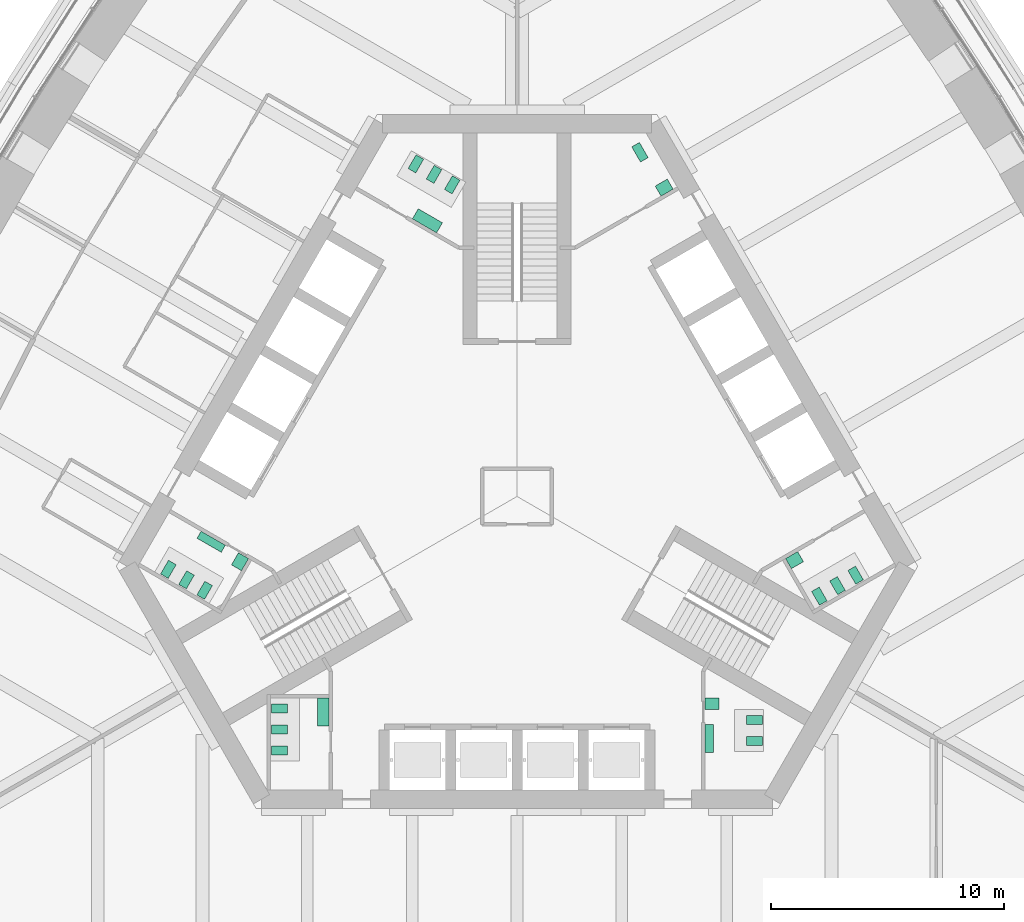
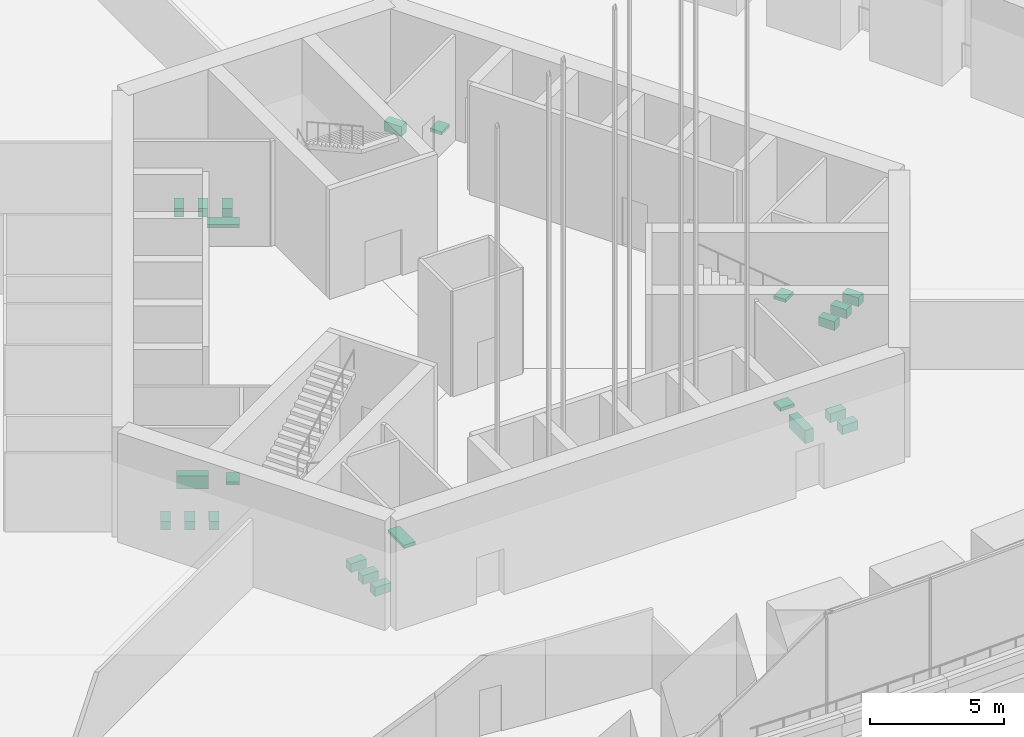
# One storey, part 24 of 33: 23 sanitary terminals.
"""IFC4 building model written with IfcOpenShell, lengths in metres."""

from ifc_helpers import new_model, si_unit, direction, frame, origin, place, context, subcontext, project, spatial, polyline, outline, extrude, material, type_object, element, save


model = new_model("IFC4")

# Units and contexts
model_context = context("Model", 3, precision=1e-05, world=origin(), true_north=direction((0.0, 1.0)))
body_context = subcontext(model_context, "Body", "Model", "MODEL_VIEW")
ifc_project = project(units=[si_unit("LENGTHUNIT", "METRE"), si_unit("AREAUNIT", "SQUARE_METRE"), si_unit("VOLUMEUNIT", "CUBIC_METRE"), si_unit("PLANEANGLEUNIT", "RADIAN"), si_unit("MASSUNIT", "GRAM", prefix="KILO")], contexts=[model_context])

# Site, building, storey
site_placement = place(None, origin())
site = spatial("IfcSite", under=ifc_project, at=site_placement, CompositionType="ELEMENT")
building_placement = place(site_placement, origin())
building = spatial("IfcBuilding", under=site, at=building_placement, Name="Trefoil Bronze Tower", CompositionType="ELEMENT")
storey_placement = place(building_placement, frame((0.0, 0.0, 98.10009765625)))
storey = spatial("IfcBuildingStorey", under=building, at=storey_placement, Name="L22", CompositionType="ELEMENT", Elevation=98.10009765625)

# Sanitary terminals
ifc_material_1 = material(Name="Vitreous china", Category="ceramic")
sanitary_terminal_type_1 = type_object("IfcSanitaryTerminalType", Name="Accessible WC pan", PredefinedType="TOILETPAN", material=ifc_material_1)
sanitary_terminal_1_placement = place(storey_placement, origin())
element("IfcSanitaryTerminal", 1, at=sanitary_terminal_1_placement, inside=storey, type_object=sanitary_terminal_type_1, Name="WC pan 1 Accessible WC L22", PredefinedType="TOILETPAN", context=body_context, shape_type="SweptSolid", body=[
    extrude(outline(polyline([(5.300537109375, 14.359130859375), (4.925537109375, 15.008544921875), (5.254638671875, 15.198486328125), (5.629638671875, 14.549072265625), (5.300537109375, 14.359130859375)])), origin(), (0.0, 0.0, 1.0), 0.449951171875),
])
ifc_material_2 = material(Name="Vitreous china", Category="ceramic")
sanitary_terminal_type_2 = type_object("IfcSanitaryTerminalType", Name="Accessible basin", PredefinedType="WASHHANDBASIN", material=ifc_material_2)
sanitary_terminal_2_placement = place(storey_placement, frame((0.0, 0.0, 0.64990234375)))
element("IfcSanitaryTerminal", 2, at=sanitary_terminal_2_placement, inside=storey, type_object=sanitary_terminal_type_2, Name="Wash basin Accessible WC L22", PredefinedType="WASHHANDBASIN", context=body_context, shape_type="SweptSolid", body=[
    extrude(outline(polyline([(6.181640625, 12.89306640625), (5.931640625, 13.326171875), (6.451171875, 13.626220703125), (6.701171875, 13.193115234375), (6.181640625, 12.89306640625)])), origin(), (0.0, 0.0, 1.0), 0.14990234375),
])
ifc_material_3 = material(Name="Vitreous china", Category="ceramic")
sanitary_terminal_type_3 = type_object("IfcSanitaryTerminalType", Name="Urinal range 2 urinals", PredefinedType="URINAL", material=ifc_material_3)
sanitary_terminal_3_placement = place(storey_placement, frame((0.0, 0.0, 0.39990234375)))
element("IfcSanitaryTerminal", 3, at=sanitary_terminal_3_placement, inside=storey, type_object=sanitary_terminal_type_3, Name="Urinal range WC (men) L22", PredefinedType="URINAL", context=body_context, shape_type="SweptSolid", body=[
    extrude(outline(polyline([(8.074951171875, -9.800048828125), (8.425048828125, -9.800048828125), (8.425048828125, -11.0), (8.074951171875, -11.0), (8.074951171875, -9.800048828125)])), origin(), (0.0, 0.0, 1.0), 0.60009765625),
])
sanitary_terminal_4_placement = place(storey_placement, frame((0.0, 0.0, 0.39990234375)))
element("IfcSanitaryTerminal", 4, at=sanitary_terminal_4_placement, inside=storey, type_object=sanitary_terminal_type_3, Name="Urinal range WC (men) L22", PredefinedType="URINAL", context=body_context, shape_type="SweptSolid", body=[
    extrude(outline(polyline([(-12.524658203125, -2.09326171875), (-12.699462890625, -2.396240234375), (-13.73876953125, -1.796142578125), (-13.563720703125, -1.4931640625), (-12.524658203125, -2.09326171875)])), origin(), (0.0, 0.0, 1.0), 0.60009765625),
])
ifc_material_4 = material(Name="Solid surface vanity", Category="plastic")
sanitary_terminal_type_4 = type_object("IfcSanitaryTerminalType", Name="Vanity unit 1 basins", PredefinedType="WASHHANDBASIN", material=ifc_material_4)
sanitary_terminal_5_placement = place(storey_placement, frame((0.0, 0.0, 0.75)))
element("IfcSanitaryTerminal", 5, at=sanitary_terminal_5_placement, inside=storey, type_object=sanitary_terminal_type_4, Name="Vanity unit WC (men) L22", PredefinedType="WASHHANDBASIN", context=body_context, shape_type="SweptSolid", body=[
    extrude(outline(polyline([(8.074951171875, -8.64990234375), (8.675048828125, -8.64990234375), (8.675048828125, -9.14990234375), (8.074951171875, -9.14990234375), (8.074951171875, -8.64990234375)])), origin(), (0.0, 0.0, 1.0), 0.14990234375),
])
sanitary_terminal_6_placement = place(storey_placement, frame((0.0, 0.0, 0.75)))
element("IfcSanitaryTerminal", 6, at=sanitary_terminal_6_placement, inside=storey, type_object=sanitary_terminal_type_4, Name="Vanity unit WC (women) L22", PredefinedType="WASHHANDBASIN", context=body_context, shape_type="SweptSolid", body=[
    extrude(outline(polyline([(11.528564453125, -2.668212890625), (11.778564453125, -3.10107421875), (12.29833984375, -2.80126953125), (12.04833984375, -2.3681640625), (11.528564453125, -2.668212890625)])), origin(), (0.0, 0.0, 1.0), 0.14990234375),
])
sanitary_terminal_7_placement = place(storey_placement, frame((0.0, 0.0, 0.75)))
element("IfcSanitaryTerminal", 7, at=sanitary_terminal_7_placement, inside=storey, type_object=sanitary_terminal_type_4, Name="Vanity unit WC (men) L22", PredefinedType="WASHHANDBASIN", context=body_context, shape_type="SweptSolid", body=[
    extrude(outline(polyline([(-11.528564453125, -2.668212890625), (-11.82861328125, -3.187744140625), (-12.26171875, -2.937744140625), (-11.961669921875, -2.418212890625), (-11.528564453125, -2.668212890625)])), origin(), (0.0, 0.0, 1.0), 0.14990234375),
])
ifc_material_5 = material(Name="Solid surface vanity", Category="plastic")
sanitary_terminal_type_5 = type_object("IfcSanitaryTerminalType", Name="Vanity unit 2 basins", PredefinedType="WASHHANDBASIN", material=ifc_material_5)
sanitary_terminal_8_placement = place(storey_placement, frame((0.0, 0.0, 0.75)))
element("IfcSanitaryTerminal", 8, at=sanitary_terminal_8_placement, inside=storey, type_object=sanitary_terminal_type_5, Name="Vanity unit WC (women) L22", PredefinedType="WASHHANDBASIN", context=body_context, shape_type="SweptSolid", body=[
    extrude(outline(polyline([(-3.45361328125, 11.318115234375), (-3.20361328125, 11.751220703125), (-4.242919921875, 12.35107421875), (-4.492919921875, 11.918212890625), (-3.45361328125, 11.318115234375)])), origin(), (0.0, 0.0, 1.0), 0.14990234375),
])
sanitary_terminal_9_placement = place(storey_placement, frame((0.0, 0.0, 0.75)))
element("IfcSanitaryTerminal", 9, at=sanitary_terminal_9_placement, inside=storey, type_object=sanitary_terminal_type_5, Name="Vanity unit WC (women) L22", PredefinedType="WASHHANDBASIN", context=body_context, shape_type="SweptSolid", body=[
    extrude(outline(polyline([(-8.074951171875, -8.64990234375), (-8.574951171875, -8.64990234375), (-8.574951171875, -9.85009765625), (-8.074951171875, -9.85009765625), (-8.074951171875, -8.64990234375)])), origin(), (0.0, 0.0, 1.0), 0.14990234375),
])
ifc_material_6 = material(Name="Vitreous china", Category="ceramic")
sanitary_terminal_type_6 = type_object("IfcSanitaryTerminalType", Name="WC pan", PredefinedType="TOILETPAN", material=ifc_material_6)
sanitary_terminal_10_placement = place(storey_placement, origin())
element("IfcSanitaryTerminal", 10, at=sanitary_terminal_10_placement, inside=storey, type_object=sanitary_terminal_type_6, Name="WC pan 1 WC (men) L22", PredefinedType="TOILETPAN", context=body_context, shape_type="SweptSolid", body=[
    extrude(outline(polyline([(9.85498046875, -9.409912109375), (10.534912109375, -9.409912109375), (10.534912109375, -9.7900390625), (9.85498046875, -9.7900390625), (9.85498046875, -9.409912109375)])), origin(), (0.0, 0.0, 1.0), 0.39990234375),
])
sanitary_terminal_11_placement = place(storey_placement, origin())
element("IfcSanitaryTerminal", 11, at=sanitary_terminal_11_placement, inside=storey, type_object=sanitary_terminal_type_6, Name="WC pan 2 WC (men) L22", PredefinedType="TOILETPAN", context=body_context, shape_type="SweptSolid", body=[
    extrude(outline(polyline([(9.85498046875, -10.31005859375), (10.534912109375, -10.31005859375), (10.534912109375, -10.68994140625), (9.85498046875, -10.68994140625), (9.85498046875, -10.31005859375)])), origin(), (0.0, 0.0, 1.0), 0.39990234375),
])
sanitary_terminal_12_placement = place(storey_placement, origin())
element("IfcSanitaryTerminal", 12, at=sanitary_terminal_12_placement, inside=storey, type_object=sanitary_terminal_type_6, Name="WC pan 1 WC (women) L22", PredefinedType="TOILETPAN", context=body_context, shape_type="SweptSolid", body=[
    extrude(outline(polyline([(12.643798828125, -4.07958984375), (12.98388671875, -4.66845703125), (13.31298828125, -4.478515625), (12.972900390625, -3.8896484375), (12.643798828125, -4.07958984375)])), origin(), (0.0, 0.0, 1.0), 0.39990234375),
])
sanitary_terminal_13_placement = place(storey_placement, origin())
element("IfcSanitaryTerminal", 13, at=sanitary_terminal_13_placement, inside=storey, type_object=sanitary_terminal_type_6, Name="WC pan 2 WC (women) L22", PredefinedType="TOILETPAN", context=body_context, shape_type="SweptSolid", body=[
    extrude(outline(polyline([(13.423095703125, -3.629638671875), (13.76318359375, -4.218505859375), (14.09228515625, -4.028564453125), (13.752197265625, -3.439697265625), (13.423095703125, -3.629638671875)])), origin(), (0.0, 0.0, 1.0), 0.39990234375),
])
sanitary_terminal_14_placement = place(storey_placement, origin())
element("IfcSanitaryTerminal", 14, at=sanitary_terminal_14_placement, inside=storey, type_object=sanitary_terminal_type_6, Name="WC pan 3 WC (women) L22", PredefinedType="TOILETPAN", context=body_context, shape_type="SweptSolid", body=[
    extrude(outline(polyline([(14.20263671875, -3.1796875), (14.542724609375, -3.7685546875), (14.871826171875, -3.57861328125), (14.53173828125, -2.98974609375), (14.20263671875, -3.1796875)])), origin(), (0.0, 0.0, 1.0), 0.39990234375),
])
sanitary_terminal_15_placement = place(storey_placement, origin())
element("IfcSanitaryTerminal", 15, at=sanitary_terminal_15_placement, inside=storey, type_object=sanitary_terminal_type_6, Name="WC pan 1 WC (women) L22", PredefinedType="TOILETPAN", context=body_context, shape_type="SweptSolid", body=[
    extrude(outline(polyline([(-2.788818359375, 12.98974609375), (-2.44873046875, 13.57861328125), (-2.77783203125, 13.7685546875), (-3.117919921875, 13.1796875), (-2.788818359375, 12.98974609375)])), origin(), (0.0, 0.0, 1.0), 0.39990234375),
])
sanitary_terminal_16_placement = place(storey_placement, origin())
element("IfcSanitaryTerminal", 16, at=sanitary_terminal_16_placement, inside=storey, type_object=sanitary_terminal_type_6, Name="WC pan 2 WC (women) L22", PredefinedType="TOILETPAN", context=body_context, shape_type="SweptSolid", body=[
    extrude(outline(polyline([(-3.568115234375, 13.439697265625), (-3.228271484375, 14.028564453125), (-3.557373046875, 14.218505859375), (-3.897216796875, 13.629638671875), (-3.568115234375, 13.439697265625)])), origin(), (0.0, 0.0, 1.0), 0.39990234375),
])
sanitary_terminal_17_placement = place(storey_placement, origin())
element("IfcSanitaryTerminal", 17, at=sanitary_terminal_17_placement, inside=storey, type_object=sanitary_terminal_type_6, Name="WC pan 3 WC (women) L22", PredefinedType="TOILETPAN", context=body_context, shape_type="SweptSolid", body=[
    extrude(outline(polyline([(-4.34765625, 13.8896484375), (-4.007568359375, 14.478515625), (-4.336669921875, 14.66845703125), (-4.6767578125, 14.07958984375), (-4.34765625, 13.8896484375)])), origin(), (0.0, 0.0, 1.0), 0.39990234375),
])
sanitary_terminal_18_placement = place(storey_placement, origin())
element("IfcSanitaryTerminal", 18, at=sanitary_terminal_18_placement, inside=storey, type_object=sanitary_terminal_type_6, Name="WC pan 1 WC (men) L22", PredefinedType="TOILETPAN", context=body_context, shape_type="SweptSolid", body=[
    extrude(outline(polyline([(-13.076904296875, -3.82958984375), (-13.416748046875, -4.41845703125), (-13.745849609375, -4.228515625), (-13.406005859375, -3.6396484375), (-13.076904296875, -3.82958984375)])), origin(), (0.0, 0.0, 1.0), 0.39990234375),
])
sanitary_terminal_19_placement = place(storey_placement, origin())
element("IfcSanitaryTerminal", 19, at=sanitary_terminal_19_placement, inside=storey, type_object=sanitary_terminal_type_6, Name="WC pan 2 WC (men) L22", PredefinedType="TOILETPAN", context=body_context, shape_type="SweptSolid", body=[
    extrude(outline(polyline([(-13.856201171875, -3.379638671875), (-14.1962890625, -3.968505859375), (-14.525390625, -3.778564453125), (-14.185302734375, -3.189697265625), (-13.856201171875, -3.379638671875)])), origin(), (0.0, 0.0, 1.0), 0.39990234375),
])
sanitary_terminal_20_placement = place(storey_placement, origin())
element("IfcSanitaryTerminal", 20, at=sanitary_terminal_20_placement, inside=storey, type_object=sanitary_terminal_type_6, Name="WC pan 3 WC (men) L22", PredefinedType="TOILETPAN", context=body_context, shape_type="SweptSolid", body=[
    extrude(outline(polyline([(-14.6357421875, -2.9296875), (-14.9755859375, -3.5185546875), (-15.3046875, -3.32861328125), (-14.96484375, -2.73974609375), (-14.6357421875, -2.9296875)])), origin(), (0.0, 0.0, 1.0), 0.39990234375),
])
sanitary_terminal_21_placement = place(storey_placement, origin())
element("IfcSanitaryTerminal", 21, at=sanitary_terminal_21_placement, inside=storey, type_object=sanitary_terminal_type_6, Name="WC pan 1 WC (women) L22", PredefinedType="TOILETPAN", context=body_context, shape_type="SweptSolid", body=[
    extrude(outline(polyline([(-9.85498046875, -8.909912109375), (-10.534912109375, -8.909912109375), (-10.534912109375, -9.2900390625), (-9.85498046875, -9.2900390625), (-9.85498046875, -8.909912109375)])), origin(), (0.0, 0.0, 1.0), 0.39990234375),
])
sanitary_terminal_22_placement = place(storey_placement, origin())
element("IfcSanitaryTerminal", 22, at=sanitary_terminal_22_placement, inside=storey, type_object=sanitary_terminal_type_6, Name="WC pan 2 WC (women) L22", PredefinedType="TOILETPAN", context=body_context, shape_type="SweptSolid", body=[
    extrude(outline(polyline([(-9.85498046875, -9.81005859375), (-10.534912109375, -9.81005859375), (-10.534912109375, -10.18994140625), (-9.85498046875, -10.18994140625), (-9.85498046875, -9.81005859375)])), origin(), (0.0, 0.0, 1.0), 0.39990234375),
])
sanitary_terminal_23_placement = place(storey_placement, origin())
element("IfcSanitaryTerminal", 23, at=sanitary_terminal_23_placement, inside=storey, type_object=sanitary_terminal_type_6, Name="WC pan 3 WC (women) L22", PredefinedType="TOILETPAN", context=body_context, shape_type="SweptSolid", body=[
    extrude(outline(polyline([(-9.85498046875, -10.7099609375), (-10.534912109375, -10.7099609375), (-10.534912109375, -11.090087890625), (-9.85498046875, -11.090087890625), (-9.85498046875, -10.7099609375)])), origin(), (0.0, 0.0, 1.0), 0.39990234375),
])

save(model, "model.ifc")
